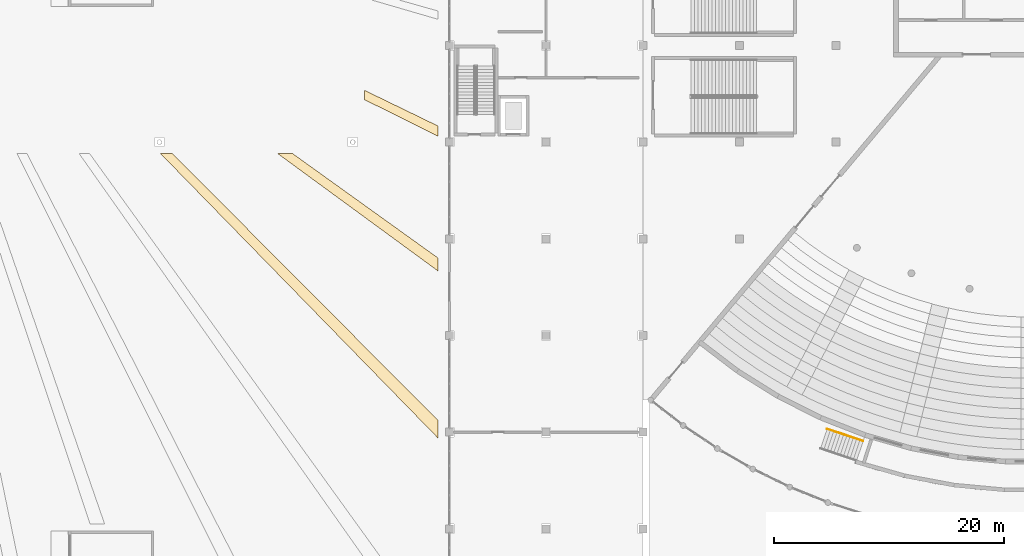
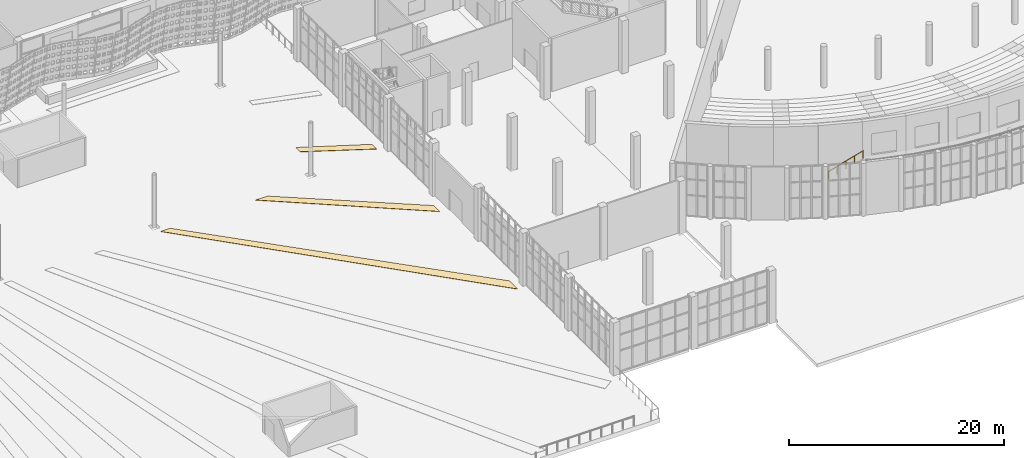
# One storey, part 180 of 210: 3 coverings, 1 railing.
"""IFC4 building model written with IfcOpenShell, lengths in metres."""

import ifcopenshell
import ifcopenshell.guid

model = None  # the IFC model being written
_history = None  # IfcOwnerHistory: only IFC2X3 demands one
_inside = {}  # id of a spatial element -> (the spatial element, [elements in it])
_under = {}  # id of a project, library or spatial element -> (it, [spatial elements below it])
_declared = {}  # id of a project -> (the project, [libraries it declares])
_typed = {}  # id of a type object -> (the type object, [elements of that type])
_made_of = {}  # id of a material, layer set ... -> (it, [elements and type objects made of it])


def new_model(schema):
    """Start an empty IFC model of exactly this schema.

    Asked for "IFC4X3", IfcOpenShell would pick the latest addendum, in which some entities
    have other attributes; the version numbers below select the first issue.
    IFC2X3 requires an IfcOwnerHistory on every rooted entity: one is made here for all.
    """
    global model, _history
    if schema == "IFC4X3":
        model = ifcopenshell.file(schema_version=(4, 3, 0, 0))
    else:
        model = ifcopenshell.file(schema=schema)
    _inside.clear()
    _under.clear()
    _declared.clear()
    _typed.clear()
    _made_of.clear()
    _history = None
    if model.schema == "IFC2X3":
        org = make("IfcOrganization", Name="unknown")
        user = make(
            "IfcPersonAndOrganization",
            ThePerson=make("IfcPerson", FamilyName="unknown"),
            TheOrganization=org,
        )
        app = make(
            "IfcApplication",
            ApplicationDeveloper=org,
            Version="unknown",
            ApplicationFullName="unknown",
            ApplicationIdentifier="unknown",
        )
        _history = make(
            "IfcOwnerHistory",
            OwningUser=user,
            OwningApplication=app,
            ChangeAction="ADDED",
            CreationDate=0,
        )
    return model


def make(cls, **values):
    """One entity of the class cls with the attributes given. An attribute that is None is left unset."""
    return model.create_entity(
        cls, **{name: value for name, value in values.items() if value is not None}
    )


def rooted(cls, **values):
    """An entity with a GlobalId (a new one), such as an element, a storey or a relation."""
    return make(cls, GlobalId=ifcopenshell.guid.new(), OwnerHistory=_history, **values)


def si_unit(unit_type, name, prefix=None):
    """IfcSIUnit, for example si_unit("LENGTHUNIT", "METRE", prefix="MILLI")."""
    return make("IfcSIUnit", UnitType=unit_type, Prefix=prefix, Name=name)


def assignment(units):
    """IfcUnitAssignment: the units of a project."""
    return None if units is None else make("IfcUnitAssignment", Units=units)


def point(xyz):
    """IfcCartesianPoint."""
    return None if xyz is None else make("IfcCartesianPoint", Coordinates=xyz)


def direction(xyz):
    """IfcDirection."""
    return None if xyz is None else make("IfcDirection", DirectionRatios=xyz)


def frame(location, z_axis=None, x_axis=None):
    """IfcAxis2Placement3D, a coordinate frame: its origin and axes. An axis left out is left unset."""
    return make(
        "IfcAxis2Placement3D",
        Location=point(location),
        Axis=direction(z_axis),
        RefDirection=direction(x_axis),
    )


def frame_2d(location, x_axis=None):
    """IfcAxis2Placement2D, a coordinate frame in the plane: its origin and x axis."""
    return make(
        "IfcAxis2Placement2D", Location=point(location), RefDirection=direction(x_axis)
    )


def origin():
    """The frame at (0, 0, 0) with its axes left unset."""
    return frame((0.0, 0.0, 0.0))


def origin_2d():
    """The frame at (0, 0) in the plane with its x axis left unset."""
    return frame_2d((0.0, 0.0))


def place(relative_to, where):
    """IfcLocalPlacement: puts the frame where relative to a parent placement (None: the world)."""
    return make(
        "IfcLocalPlacement", PlacementRelTo=relative_to, RelativePlacement=where
    )


def context(
    kind, dimensions, precision=None, world=None, true_north=None, identifier=None
):
    """IfcGeometricRepresentationContext, for example the 3D "Model" context."""
    return make(
        "IfcGeometricRepresentationContext",
        ContextIdentifier=identifier,
        ContextType=kind,
        CoordinateSpaceDimension=dimensions,
        Precision=precision,
        WorldCoordinateSystem=world,
        TrueNorth=true_north,
    )


def subcontext(parent, identifier, kind, view, scale=None):
    """IfcGeometricRepresentationSubContext, for example "Body" below "Model"."""
    return make(
        "IfcGeometricRepresentationSubContext",
        ContextIdentifier=identifier,
        ContextType=kind,
        ParentContext=parent,
        TargetScale=scale,
        TargetView=view,
    )


def project(units=None, contexts=None):
    """IfcProject with its units and contexts."""
    return rooted(
        "IfcProject",
        Name="project",
        RepresentationContexts=contexts,
        UnitsInContext=assignment(units),
    )


def spatial(cls, under=None, at=None, **own):
    """A site, building, storey or space (cls), placed at a placement, below another one or the project."""
    s = rooted(cls, ObjectPlacement=at, **own)
    if under is not None:
        _under.setdefault(under.id(), (under, []))[1].append(s)
    return s


def polyline(points):
    """IfcPolyline through the points."""
    return make("IfcPolyline", Points=[point(p) for p in points])


def profile(cls, at=None, kind="AREA", **sizes):
    """A parametric profile (cls). Its sizes go by their IFC names, for example OverallWidth=200.0."""
    return make(cls, ProfileType=kind, Position=at, **sizes)


def circle(**sizes):
    """IfcCircleProfileDef."""
    return profile("IfcCircleProfileDef", **sizes)


def outline(outer, holes=None, kind="AREA"):
    """IfcArbitraryClosedProfileDef: a profile drawn as a closed curve; with holes, ...WithVoids."""
    if holes is None:
        return make("IfcArbitraryClosedProfileDef", ProfileType=kind, OuterCurve=outer)
    return make(
        "IfcArbitraryProfileDefWithVoids",
        ProfileType=kind,
        OuterCurve=outer,
        InnerCurves=holes,
    )


def extrude(swept, where, along, depth):
    """IfcExtrudedAreaSolid: the profile swept, set in the frame where, extruded along a direction by depth."""
    return make(
        "IfcExtrudedAreaSolid",
        SweptArea=swept,
        Position=where,
        ExtrudedDirection=direction(along),
        Depth=depth,
    )


def shape(context_of_items, identifier, shape_type, items):
    """IfcShapeRepresentation: the items that make up one representation, for example the "Body"."""
    return make(
        "IfcShapeRepresentation",
        ContextOfItems=context_of_items,
        RepresentationIdentifier=identifier,
        RepresentationType=shape_type,
        Items=items,
    )


def material(Name=None, Category=None):
    """IfcMaterial."""
    return make("IfcMaterial", Name=Name, Category=Category)


def layer(
    of_material, thickness, ventilated=None, Name=None, Category=None, Priority=None
):
    """IfcMaterialLayer: one layer of a wall or slab, of a material (None: an air gap)."""
    return make(
        "IfcMaterialLayer",
        Material=of_material,
        LayerThickness=thickness,
        IsVentilated=ventilated,
        Name=Name,
        Category=Category,
        Priority=Priority,
    )


def layer_set(layers, Name=None):
    """IfcMaterialLayerSet."""
    return make("IfcMaterialLayerSet", MaterialLayers=layers, LayerSetName=Name)


def made_of(thing, what):
    """Note that an element or type object is made of a material, layer set ...; save() writes the relation."""
    if what is not None:
        _made_of.setdefault(what.id(), (what, []))[1].append(thing)
    return thing


def type_object(cls, material=None, **own):
    """A type object (cls), such as IfcWallType, which elements share."""
    return made_of(rooted(cls, **own), material)


def element(
    cls,
    number,
    at=None,
    inside=None,
    cuts=None,
    type_object=None,
    material=None,
    context=None,
    identifier="Body",
    shape_type=None,
    held_by="IfcProductDefinitionShape",
    body=None,
    shapes=None,
    **own,
):
    """One element of the class cls, such as IfcWall. Its Tag is "e" and its number.

    at: its placement. inside: the storey or other place that contains it. cuts: it is an
    opening in that element (IfcRelVoidsElement). A single representation is given by context,
    identifier, shape_type and body (its items); several are given by shapes. held_by: the class
    of the entity that holds the representations. save() writes the other relations.
    """
    e = rooted(cls, Tag="e%d" % number, ObjectPlacement=at, **own)
    if body is not None:
        shapes = [shape(context, identifier, shape_type, body)]
    if shapes is not None:
        e.Representation = make(held_by, Representations=shapes)
    if inside is not None:
        _inside.setdefault(inside.id(), (inside, []))[1].append(e)
    if cuts is not None:
        rooted(
            "IfcRelVoidsElement", RelatingBuildingElement=cuts, RelatedOpeningElement=e
        )
    if type_object is not None:
        _typed.setdefault(type_object.id(), (type_object, []))[1].append(e)
    return made_of(e, material)


def aggregate(whole, parts):
    """IfcRelAggregates: a whole, such as a stair, and the parts it consists of."""
    return rooted("IfcRelAggregates", RelatingObject=whole, RelatedObjects=parts)


def save(model, path):
    """Write the relations noted so far, then the file.

    IfcRelAggregates (storeys below a building ...), IfcRelContainedInSpatialStructure (elements
    in a storey), IfcRelDefinesByType, IfcRelAssociatesMaterial and IfcRelDeclares: one each for
    every whole, place, type object, material and project.
    """
    for whole, parts in _under.values():
        aggregate(whole, parts)
    for where, things in _inside.values():
        rooted(
            "IfcRelContainedInSpatialStructure",
            RelatedElements=things,
            RelatingStructure=where,
        )
    for kind, things in _typed.values():
        rooted("IfcRelDefinesByType", RelatedObjects=things, RelatingType=kind)
    for what, things in _made_of.values():
        rooted("IfcRelAssociatesMaterial", RelatedObjects=things, RelatingMaterial=what)
    for by, libraries in _declared.values():
        rooted("IfcRelDeclares", RelatingContext=by, RelatedDefinitions=libraries)
    model.write(path)


model = new_model("IFC4")

# Units and contexts
model_context = context("Model", 3, precision=1e-05, world=origin(), true_north=direction((0.0, 1.0)))
body_context = subcontext(model_context, "Body", "Model", "MODEL_VIEW")
ifc_project = project(units=[si_unit("LENGTHUNIT", "METRE"), si_unit("AREAUNIT", "SQUARE_METRE"), si_unit("VOLUMEUNIT", "CUBIC_METRE"), si_unit("PLANEANGLEUNIT", "RADIAN"), si_unit("MASSUNIT", "GRAM", prefix="KILO")], contexts=[model_context])

# Site, building, storey
site_placement = place(None, origin())
site = spatial("IfcSite", under=ifc_project, at=site_placement, CompositionType="ELEMENT")
building_placement = place(site_placement, origin())
building = spatial("IfcBuilding", under=site, at=building_placement, Name="Rain Tree Exposition and Congress Centre", CompositionType="ELEMENT")
storey_placement = place(building_placement, origin())
storey = spatial("IfcBuildingStorey", under=building, at=storey_placement, Name="L00", CompositionType="ELEMENT", Elevation=0.0)

# Coverings
ifc_material_1 = material(Name="Granite paving", Category="masonry")
ifc_layer = layer(ifc_material_1, 0.030029296875)
ifc_layer_set = layer_set([ifc_layer], Name="Granite paving")
covering_type = type_object("IfcCoveringType", Name="Granite paving inlay 30", PredefinedType="FLOORING", material=ifc_layer_set)
covering_1_placement = place(storey_placement, origin())
element("IfcCovering", 1, at=covering_1_placement, inside=storey, type_object=covering_type, Name="Granite paving inlay 19", PredefinedType="FLOORING", context=body_context, shape_type="SweptSolid", body=[
    extrude(outline(polyline([(127.137451171875, 49.39990234375), (126.100830078125, 49.39990234375), (150.199951171875, 24.695556640625), (150.199951171875, 26.229248046875), (127.137451171875, 49.39990234375)])), origin(), (0.0, 0.0, 1.0), 0.030029296875),
])
covering_2_placement = place(storey_placement, origin())
element("IfcCovering", 2, at=covering_2_placement, inside=storey, type_object=covering_type, Name="Granite paving inlay 20", PredefinedType="FLOORING", context=body_context, shape_type="SweptSolid", body=[
    extrude(outline(polyline([(137.579345703125, 49.39990234375), (136.28564453125, 49.39990234375), (150.199951171875, 39.2099609375), (150.199951171875, 40.337158203125), (137.579345703125, 49.39990234375)])), origin(), (0.0, 0.0, 1.0), 0.030029296875),
])
covering_3_placement = place(storey_placement, origin())
element("IfcCovering", 3, at=covering_3_placement, inside=storey, type_object=covering_type, Name="Granite paving inlay 21", PredefinedType="FLOORING", context=body_context, shape_type="SweptSolid", body=[
    extrude(outline(polyline([(143.800048828125, 54.91064453125), (143.800048828125, 54.09912109375), (150.199951171875, 50.92529296875), (150.199951171875, 51.80517578125), (143.800048828125, 54.91064453125)])), origin(), (0.0, 0.0, 1.0), 0.030029296875),
])

# Railing
ifc_material_2 = material(Name="Steel S355J2H", Category="steel")
railing_type = type_object("IfcRailingType", Name="Handrail 900 steel", PredefinedType="HANDRAIL", material=ifc_material_2)
railing_placement = place(storey_placement, frame((184.022705078125, 25.481201171875, 0.175048828125)))
element("IfcRailing", 4, at=railing_placement, inside=storey, type_object=railing_type, Name="Exit stair STX1 handrail", PredefinedType="HANDRAIL", context=body_context, shape_type="SweptSolid", body=[
    extrude(circle(Radius=0.02392578125, at=origin_2d()), frame((0.0, 0.0, 0.8759765625), z_axis=(0.818343865073, -0.276445069522, 0.503876415438), x_axis=(0.320042635324, 0.947403140999, 0.0)), (0.0, 0.0, 1.0), 3.820556640625),
    extrude(circle(Radius=0.02099609375, at=origin_2d()), origin(), (0.0, 0.0, 1.0), 0.851806640625),
    extrude(circle(Radius=0.02099609375, at=origin_2d()), frame((0.78173828125, -0.26416015625, 0.481201171875)), (0.0, 0.0, 1.0), 0.851806640625),
    extrude(circle(Radius=0.02099609375, at=origin_2d()), frame((1.563232421875, -0.528076171875, 0.96240234375)), (0.0, 0.0, 1.0), 0.851806640625),
    extrude(circle(Radius=0.02099609375, at=origin_2d()), frame((2.3447265625, -0.7919921875, 1.44384765625)), (0.0, 0.0, 1.0), 0.851806640625),
    extrude(circle(Radius=0.02099609375, at=origin_2d()), frame((3.12646484375, -1.05615234375, 1.925048828125)), (0.0, 0.0, 1.0), 0.851806640625),
])

save(model, "model.ifc")
